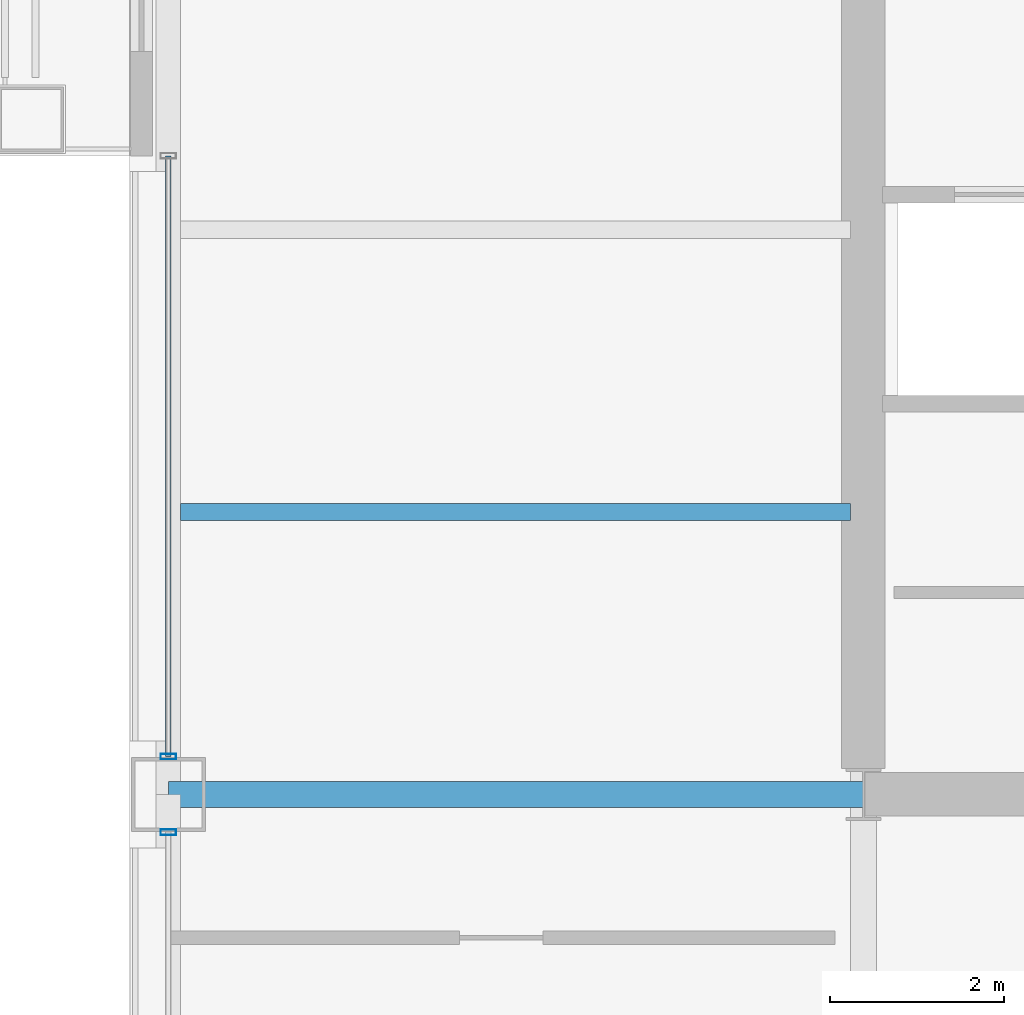
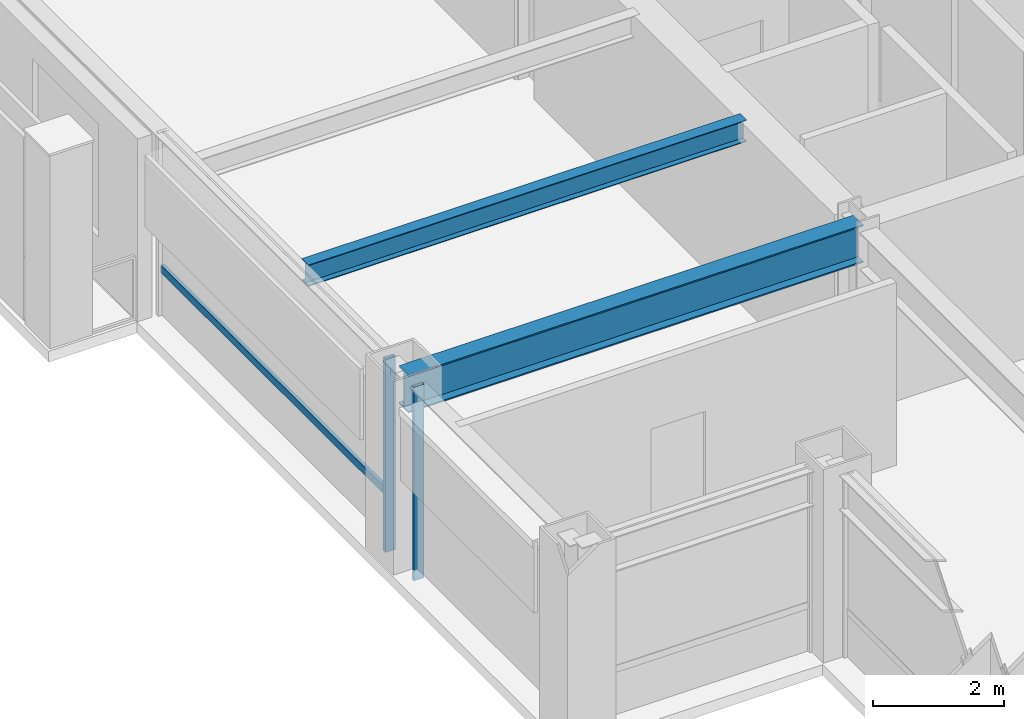
# One storey, part 4 of 30: 3 members, 2 beams, 2 elements without a shape of their own.
"""IFC4 building model written with IfcOpenShell, lengths in metres."""

from ifc_helpers import new_model, si_unit, direction, frame, origin, origin_2d, place, context, subcontext, project, spatial, hollow_rectangle, i_section, extrude, material, layer, layer_set, material_profile, profile_set, type_object, element, aggregate, save


model = new_model("IFC4")

# Units and contexts
model_context = context("Model", 3, precision=1e-05, world=origin(), true_north=direction((0.0, 1.0)))
body_context = subcontext(model_context, "Body", "Model", "MODEL_VIEW")
ifc_project = project(units=[si_unit("LENGTHUNIT", "METRE"), si_unit("AREAUNIT", "SQUARE_METRE"), si_unit("VOLUMEUNIT", "CUBIC_METRE"), si_unit("PLANEANGLEUNIT", "RADIAN"), si_unit("MASSUNIT", "GRAM", prefix="KILO")], contexts=[model_context])

# Site, building, storey
site_placement = place(None, origin())
site = spatial("IfcSite", under=ifc_project, at=site_placement, CompositionType="ELEMENT")
building_placement = place(site_placement, origin())
building = spatial("IfcBuilding", under=site, at=building_placement, Name="Brelmoor Portico Tower", CompositionType="ELEMENT")
storey_placement = place(building_placement, frame((0.0, 0.0, 102.60009765625)))
storey = spatial("IfcBuildingStorey", under=building, at=storey_placement, Name="L26", CompositionType="ELEMENT", Elevation=102.60009765625)

# Beams
ifc_material_1 = material(Name="Steel Q355B", Category="steel")
ifc_material_profile_1 = material_profile(ifc_material_1, i_section(OverallWidth=0.199951171875, OverallDepth=0.39990234375, WebThickness=0.008056640625, FlangeThickness=0.012939453125, at=origin_2d()), Name="HN 400x200x8x13")
ifc_profile_set_1 = profile_set([ifc_material_profile_1], Name="Steel Q355B")
beam_type_1 = type_object("IfcBeamType", Name="BM-JS-400", PredefinedType="JOIST", material=ifc_profile_set_1)
beam_1_placement = place(storey_placement, frame((-22.409912109375, -6.5, 3.199951171875), z_axis=(1.0, 0.0, 0.0), x_axis=(0.0, 1.0, 0.0)))
element("IfcBeam", 1, at=beam_1_placement, inside=storey, type_object=beam_type_1, Name="L26 Secondary Wing Joist JS-W05", PredefinedType="JOIST", context=body_context, shape_type="SweptSolid", body=[
    extrude(i_section(OverallWidth=0.199951171875, OverallDepth=0.39990234375, WebThickness=0.008056640625, FlangeThickness=0.012939453125, at=origin_2d()), origin(), (0.0, 0.0, 1.0), 7.7099609375),
])
ifc_material_profile_2 = material_profile(ifc_material_1, i_section(OverallWidth=0.300048828125, OverallDepth=0.699951171875, WebThickness=0.012939453125, FlangeThickness=0.02392578125, at=origin_2d()), Name="HN 700x300x13x24")
ifc_profile_set_2 = profile_set([ifc_material_profile_2], Name="Steel Q355B")
beam_type_2 = type_object("IfcBeamType", Name="BM-PG-700", PredefinedType="BEAM", material=ifc_profile_set_2)
beam_2_placement = place(storey_placement, frame((-22.550048828125, -9.75, 3.0498046875), z_axis=(1.0, 0.0, 0.0), x_axis=(0.0, 1.0, 0.0)))
element("IfcBeam", 2, at=beam_2_placement, inside=storey, type_object=beam_type_2, Name="L26 Primary Floor Girder PG-14", PredefinedType="BEAM", context=body_context, shape_type="SweptSolid", body=[
    extrude(i_section(OverallWidth=0.300048828125, OverallDepth=0.699951171875, WebThickness=0.012939453125, FlangeThickness=0.02392578125, at=origin_2d()), origin(), (0.0, 0.0, 1.0), 8.0),
])

# Curtain wall, member
ifc_material_2 = material(Name="Anodised Aluminium Alloy 6063-T6", Category="aluminium")
ifc_layer_1 = layer(ifc_material_2, 0.179931640625)
ifc_layer_set_1 = layer_set([ifc_layer_1], Name="Anodised Aluminium Alloy 6063-T6")
curtain_wall_type_1 = type_object("IfcCurtainWallType", Name="CW-TOWER-Z2-XB", PredefinedType="NOTDEFINED", material=ifc_layer_set_1)
curtain_wall_1_placement = place(storey_placement, origin())
curtain_wall_1 = element("IfcCurtainWall", 3, at=curtain_wall_1_placement, inside=storey, type_object=curtain_wall_type_1, Name="L26 Curtain Wall CW-L26-3L-1", PredefinedType="NOTDEFINED")
ifc_material_profile_3 = material_profile(ifc_material_2, hollow_rectangle(XDim=0.06494140625, YDim=0.179931640625, WallThickness=0.00390625, at=origin_2d()), Name="ALU MULLION 65x180")
ifc_profile_set_3 = profile_set([ifc_material_profile_3], Name="Anodised Aluminium Alloy 6063-T6")
member_type_1 = type_object("IfcMemberType", Name="MB-CW-MULL-180", PredefinedType="MULLION", material=ifc_profile_set_3)
member_1_placement = place(storey_placement, frame((-22.550048828125, -10.18505859375, -0.2001953125), z_axis=(0.0, 0.0, 1.0), x_axis=(0.0, 1.0, 0.0)))
member_1 = element("IfcMember", 4, at=member_1_placement, type_object=member_type_1, Name="CW-L26-3L-1 Mullion 01", PredefinedType="MULLION", context=body_context, shape_type="SweptSolid", body=[
    extrude(hollow_rectangle(XDim=0.06494140625, YDim=0.179931640625, WallThickness=0.00390625, at=origin_2d()), origin(), (0.0, 0.0, 1.0), 3.60009765625),
])
aggregate(curtain_wall_1, [member_1])

# Curtain wall, members
ifc_layer_2 = layer(ifc_material_2, 0.179931640625)
ifc_layer_set_2 = layer_set([ifc_layer_2], Name="Anodised Aluminium Alloy 6063-T6")
curtain_wall_type_2 = type_object("IfcCurtainWallType", Name="CW-TOWER-Z2", PredefinedType="NOTDEFINED", material=ifc_layer_set_2)
curtain_wall_2_placement = place(storey_placement, origin())
curtain_wall_2 = element("IfcCurtainWall", 5, at=curtain_wall_2_placement, inside=storey, type_object=curtain_wall_type_2, Name="L26 Curtain Wall CW-L26-3L-2", PredefinedType="NOTDEFINED")
member_2_placement = place(storey_placement, frame((-22.550048828125, -9.31494140625, -0.2001953125), z_axis=(0.0, 0.0, 1.0), x_axis=(0.0, 1.0, 0.0)))
member_2 = element("IfcMember", 6, at=member_2_placement, type_object=member_type_1, Name="CW-L26-3L-2 Mullion 00", PredefinedType="MULLION", context=body_context, shape_type="SweptSolid", body=[
    extrude(hollow_rectangle(XDim=0.06494140625, YDim=0.179931640625, WallThickness=0.00390625, at=origin_2d()), origin(), (0.0, 0.0, 1.0), 3.60009765625),
])
ifc_material_profile_4 = material_profile(ifc_material_2, hollow_rectangle(XDim=0.06494140625, YDim=0.139892578125, WallThickness=0.00390625, at=origin_2d()), Name="ALU TRANSOM 65x140")
ifc_profile_set_4 = profile_set([ifc_material_profile_4], Name="Anodised Aluminium Alloy 6063-T6")
member_type_2 = type_object("IfcMemberType", Name="MB-CW-TRAN-140", PredefinedType="USERDEFINED", material=ifc_profile_set_4)
member_3_placement = place(storey_placement, frame((-22.550048828125, -9.31494140625, 0.849853515625), z_axis=(0.0, 1.0, 0.0), x_axis=(-1.0, 0.0, 0.0)))
member_3 = element("IfcMember", 7, at=member_3_placement, type_object=member_type_2, Name="CW-L26-3L-2 Transom 1-00", ObjectType="TRANSOM", PredefinedType="USERDEFINED", context=body_context, shape_type="SweptSolid", body=[
    extrude(hollow_rectangle(XDim=0.06494140625, YDim=0.139892578125, WallThickness=0.00390625, at=origin_2d()), origin(), (0.0, 0.0, 1.0), 6.9150390625),
])
aggregate(curtain_wall_2, [member_2, member_3])

save(model, "model.ifc")
